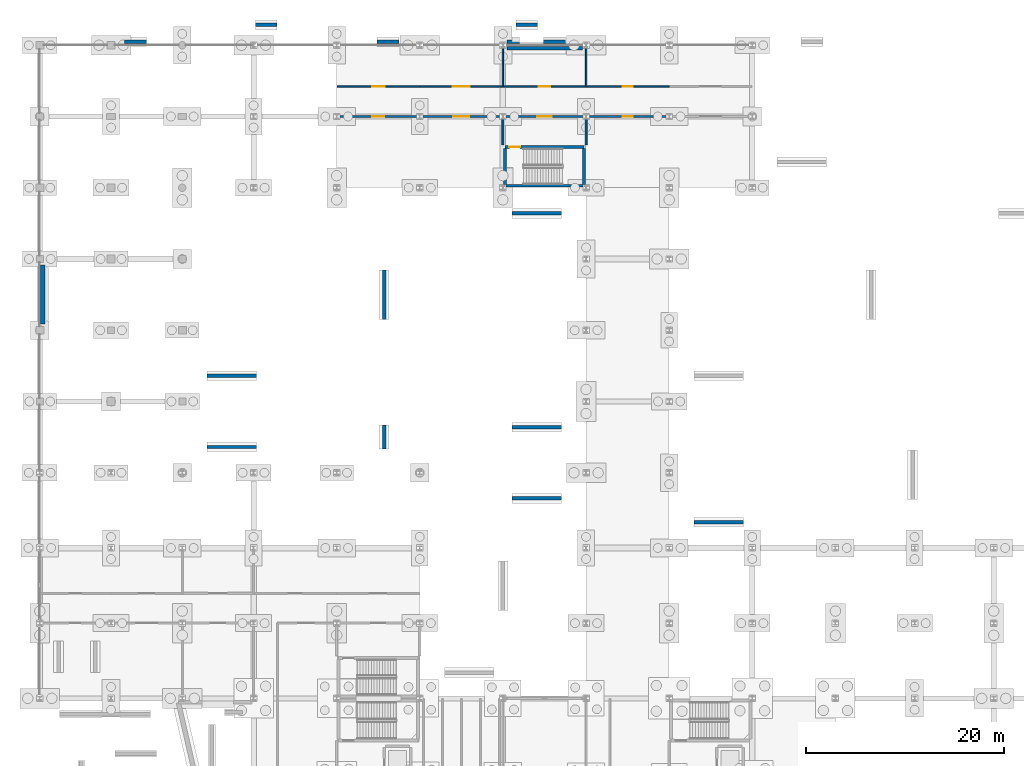
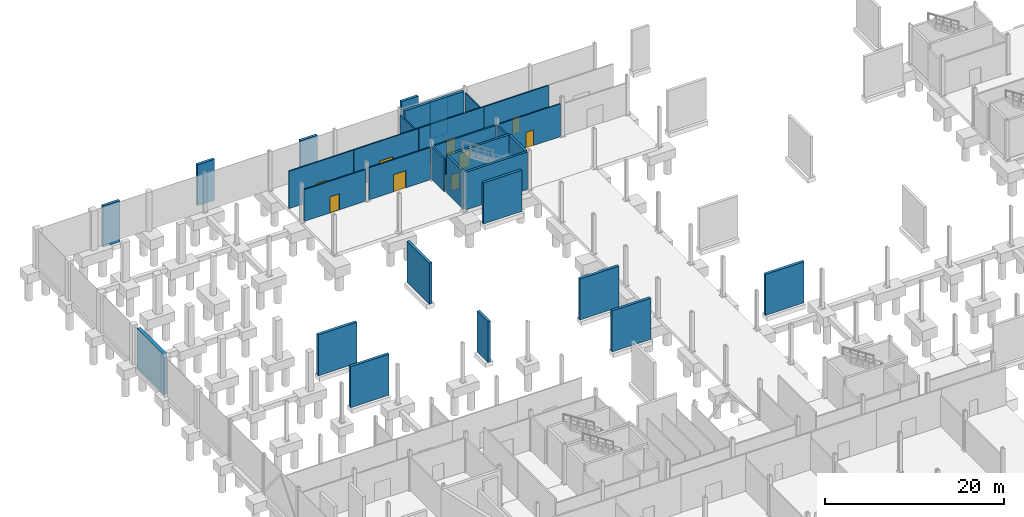
# One storey, part 47 of 61: 32 walls, 9 doors, 9 openings.
"""IFC4 building model written with IfcOpenShell, lengths in metres."""

from ifc_helpers import new_model, si_unit, direction, frame, frame_2d, origin, place, context, subcontext, project, spatial, rectangle, extrude, material, layer, layer_set, type_object, element, fill, save


model = new_model("IFC4")

# Units and contexts
model_context = context("Model", 3, precision=1e-05, world=origin(), true_north=direction((0.0, 1.0)))
body_context = subcontext(model_context, "Body", "Model", "MODEL_VIEW")
ifc_project = project(units=[si_unit("LENGTHUNIT", "METRE"), si_unit("AREAUNIT", "SQUARE_METRE"), si_unit("VOLUMEUNIT", "CUBIC_METRE"), si_unit("PLANEANGLEUNIT", "RADIAN"), si_unit("MASSUNIT", "GRAM", prefix="KILO")], contexts=[model_context])

# Site, building, storey
site_placement = place(None, origin())
site = spatial("IfcSite", under=ifc_project, at=site_placement, CompositionType="ELEMENT")
building_placement = place(site_placement, origin())
building = spatial("IfcBuilding", under=site, at=building_placement, Name="Calvrana Isthmian Art Gallery", CompositionType="ELEMENT")
storey_placement = place(building_placement, frame((0.0, 0.0, -5.39990234375)))
storey = spatial("IfcBuildingStorey", under=building, at=storey_placement, Name="B1", CompositionType="ELEMENT", Elevation=-5.39990234375)

# Wall
ifc_material_1 = material(Name="Concrete C40/50", Category="concrete")
ifc_layer_1 = layer(ifc_material_1, 0.300048828125, Name="Concrete C40/50")
ifc_layer_set_1 = layer_set([ifc_layer_1], Name="Concrete C40/50")
wall_type_1 = type_object("IfcWallType", Name="CW-SHAFT-300", PredefinedType="SHEAR", material=ifc_layer_set_1)
wall_1_placement = place(storey_placement, frame((46.989990234375, 98.60009765625, 0.0), z_axis=(0.0, 0.0, 1.0), x_axis=(1.0, 0.0, 0.0)))
element("IfcWall", 1, at=wall_1_placement, inside=storey, type_object=wall_type_1, Name="Core C6 shear wall S B1", PredefinedType="SHEAR", context=body_context, shape_type="SweptSolid", body=[
    extrude(rectangle(XDim=8.02001953125, YDim=0.300048828125, at=frame_2d((4.010009765625, 0.0))), origin(), (0.0, 0.0, 1.0), 5.119873046875),
])

# Wall, opening, door
wall_2_placement = place(storey_placement, frame((46.989990234375, 102.5, 0.0), z_axis=(0.0, 0.0, 1.0), x_axis=(1.0, 0.0, 0.0)))
wall_2 = element("IfcWall", 2, at=wall_2_placement, inside=storey, type_object=wall_type_1, Name="Core C6 shear wall N B1", PredefinedType="SHEAR", context=body_context, shape_type="SweptSolid", body=[
    extrude(rectangle(XDim=8.02001953125, YDim=0.300048828125, at=frame_2d((4.010009765625, 0.0))), origin(), (0.0, 0.0, 1.0), 5.119873046875),
])
opening_1_placement = place(wall_2_placement, frame((0.449951171875, 0.0, 0.0)))
opening_1 = element("IfcOpeningElement", 3, at=opening_1_placement, cuts=wall_2, Name="Opening D-166", PredefinedType="OPENING", context=body_context, shape_type="SweptSolid", body=[
    extrude(rectangle(XDim=1.10009765625, YDim=2.14990234375, at=frame_2d((0.550048828125, 1.074951171875))), frame((0.0, 0.16015625, 0.0), z_axis=(0.0, -1.0, 0.0), x_axis=(1.0, 0.0, 0.0)), (0.0, 0.0, 1.0), 0.320556640625),
])
ifc_material_2 = material(Name="Steel ASTM A572 Gr 50", Category="steel")
door_type_1 = type_object("IfcDoorType", Name="DR-FIRE-1100", OperationType="NOTDEFINED", PredefinedType="DOOR", material=ifc_material_2)
door_1_placement = place(opening_1_placement, origin())
door_1 = element("IfcDoor", 4, at=door_1_placement, inside=storey, type_object=door_type_1, Name="Stair ST-6 fire door B1", OperationType="SINGLE_SWING_RIGHT", OverallHeight=2.14990234375, OverallWidth=1.10009765625, PredefinedType="DOOR", context=body_context, shape_type="SweptSolid", body=[
    extrude(rectangle(XDim=1.10009765625, YDim=2.14990234375, at=frame_2d((0.550048828125, 1.074951171875))), frame((0.0, 0.02490234375, 0.0), z_axis=(0.0, -1.0, 0.0), x_axis=(1.0, 0.0, 0.0)), (0.0, 0.0, 1.0), 0.050048828125),
])
fill(opening_1, door_1)

# Walls
for number, where, z_axis, x_axis, name in (
    (5, (46.989990234375, 98.75, 0.0), (0.0, 0.0, 1.0), (0.0, 1.0, 0.0), "Core C6 shear wall W B1"),
    (6, (55.010009765625, 98.75, 0.0), (0.0, 0.0, 1.0), (0.0, 1.0, 0.0), "Core C6 shear wall E B1"),
):
    element("IfcWall", number, at=place(storey_placement, frame(where, z_axis=z_axis, x_axis=x_axis)), inside=storey, type_object=wall_type_1, Name=name, PredefinedType="SHEAR", context=body_context, shape_type="SweptSolid", body=[
        extrude(rectangle(XDim=3.60009765625, YDim=0.300048828125, at=frame_2d((1.800048828125, 0.0))), origin(), (0.0, 0.0, 1.0), 5.119873046875),
    ])
ifc_material_3 = material(Name="Acoustic gypsum ceiling", Category="gypsum")
ifc_layer_2 = layer(ifc_material_3, 0.199951171875, Name="Acoustic gypsum ceiling")
ifc_layer_set_2 = layer_set([ifc_layer_2], Name="Acoustic gypsum ceiling")
wall_type_2 = type_object("IfcWallType", Name="PW-FIRE-200", PredefinedType="PARTITIONING", material=ifc_layer_set_2)
wall_3_placement = place(storey_placement, frame((46.800048828125, 102.719970703125, 0.0), z_axis=(0.0, 0.0, 1.0), x_axis=(0.0, 1.0, 0.0)))
element("IfcWall", 7, at=wall_3_placement, inside=storey, type_object=wall_type_2, Name="Core C6 lobby W closure B1", PredefinedType="PARTITIONING", context=body_context, shape_type="SweptSolid", body=[
    extrude(rectangle(XDim=2.860107421875, YDim=0.199951171875, at=frame_2d((1.43017578125, 0.0))), origin(), (0.0, 0.0, 1.0), 4.48779296875),
])
wall_4_placement = place(storey_placement, frame((55.199951171875, 102.719970703125, 0.0), z_axis=(0.0, 0.0, 1.0), x_axis=(0.0, 1.0, 0.0)))
element("IfcWall", 8, at=wall_4_placement, inside=storey, type_object=wall_type_2, Name="Core C6 lobby E closure B1", PredefinedType="PARTITIONING", context=body_context, shape_type="SweptSolid", body=[
    extrude(rectangle(XDim=2.860107421875, YDim=0.199951171875, at=frame_2d((1.43017578125, 0.0))), origin(), (0.0, 0.0, 1.0), 4.492919921875),
])

# Wall, opening, door
wall_5_placement = place(storey_placement, frame((47.02001953125, 105.60009765625, 0.0), z_axis=(0.0, 0.0, 1.0), x_axis=(1.0, 0.0, 0.0)))
wall_5 = element("IfcWall", 9, at=wall_5_placement, inside=storey, type_object=wall_type_2, Name="Core C6 lobby enclosure B1", PredefinedType="PARTITIONING", context=body_context, shape_type="SweptSolid", body=[
    extrude(rectangle(XDim=7.9599609375, YDim=0.199951171875, at=frame_2d((3.97998046875, 0.0))), origin(), (0.0, 0.0, 1.0), 4.477783203125),
])
opening_2_placement = place(wall_5_placement, frame((3.2548828125, 0.0, 0.0)))
opening_2 = element("IfcOpeningElement", 10, at=opening_2_placement, cuts=wall_5, Name="Opening D-167", PredefinedType="OPENING", context=body_context, shape_type="SweptSolid", body=[
    extrude(rectangle(XDim=1.449951171875, YDim=2.199951171875, at=frame_2d((0.72509765625, 1.10009765625))), frame((0.0, 0.1103515625, 0.0), z_axis=(0.0, -1.0, 0.0), x_axis=(1.0, 0.0, 0.0)), (0.0, 0.0, 1.0), 0.220458984375),
])
door_type_2 = type_object("IfcDoorType", Name="DR-LOBBY-1450", OperationType="DOUBLE_DOOR_SINGLE_SWING", PredefinedType="DOOR", material=ifc_material_2)
door_2_placement = place(opening_2_placement, origin())
door_2 = element("IfcDoor", 11, at=door_2_placement, inside=storey, type_object=door_type_2, Name="Core C6 lobby fire door B1", OperationType="DOUBLE_DOOR_SINGLE_SWING", OverallHeight=2.199951171875, OverallWidth=1.449951171875, PredefinedType="DOOR", context=body_context, shape_type="SweptSolid", body=[
    extrude(rectangle(XDim=1.449951171875, YDim=2.199951171875, at=frame_2d((0.72509765625, 1.10009765625))), frame((0.0, 0.02490234375, 0.0), z_axis=(0.0, -1.0, 0.0), x_axis=(1.0, 0.0, 0.0)), (0.0, 0.0, 1.0), 0.050048828125),
])
fill(opening_2, door_2)

ifc_layer_3 = layer(ifc_material_3, 0.159912109375, Name="Acoustic gypsum ceiling")
ifc_layer_set_3 = layer_set([ifc_layer_3], Name="Acoustic gypsum ceiling")
wall_type_3 = type_object("IfcWallType", Name="PW-GAL-160", PredefinedType="PARTITIONING", material=ifc_layer_set_3)
wall_6_placement = place(storey_placement, frame((30.212890625, 105.60009765625, 0.0), z_axis=(0.0, 0.0, 1.0), x_axis=(1.0, 0.0, 0.0)))
wall_6 = element("IfcWall", 12, at=wall_6_placement, inside=storey, type_object=wall_type_3, Name="Interior partition PW-065", PredefinedType="PARTITIONING", context=body_context, shape_type="SweptSolid", body=[
    extrude(rectangle(XDim=7.97509765625, YDim=0.159912109375, at=frame_2d((3.987548828125, 0.0))), origin(), (0.0, 0.0, 1.0), 4.337890625),
])
opening_3_placement = place(wall_6_placement, frame((3.387451171875, 0.0, 0.0)))
opening_3 = element("IfcOpeningElement", 13, at=opening_3_placement, cuts=wall_6, Name="Opening D-225", PredefinedType="OPENING", context=body_context, shape_type="SweptSolid", body=[
    extrude(rectangle(XDim=1.199951171875, YDim=2.199951171875, at=frame_2d((0.60009765625, 1.10009765625))), frame((0.0, 0.09033203125, 0.0), z_axis=(0.0, -1.0, 0.0), x_axis=(1.0, 0.0, 0.0)), (0.0, 0.0, 1.0), 0.180419921875),
])
ifc_material_4 = material(Name="Timber gallery flooring", Category="wood")
door_type_3 = type_object("IfcDoorType", Name="DR-RM-1200", OperationType="NOTDEFINED", PredefinedType="DOOR", material=ifc_material_4)
door_3_placement = place(opening_3_placement, origin())
door_3 = element("IfcDoor", 14, at=door_3_placement, inside=storey, type_object=door_type_3, Name="Interior door D-225", OperationType="SINGLE_SWING_LEFT", OverallHeight=2.199951171875, OverallWidth=1.199951171875, PredefinedType="DOOR", context=body_context, shape_type="SweptSolid", body=[
    extrude(rectangle(XDim=1.199951171875, YDim=2.199951171875, at=frame_2d((0.60009765625, 1.10009765625))), frame((0.0, 0.02490234375, 0.0), z_axis=(0.0, -1.0, 0.0), x_axis=(1.0, 0.0, 0.0)), (0.0, 0.0, 1.0), 0.050048828125),
])
fill(opening_3, door_3)

wall_7_placement = place(storey_placement, frame((38.612060546875, 105.60009765625, 0.0), z_axis=(0.0, 0.0, 1.0), x_axis=(1.0, 0.0, 0.0)))
wall_7 = element("IfcWall", 15, at=wall_7_placement, inside=storey, type_object=wall_type_3, Name="Interior partition PW-066", PredefinedType="PARTITIONING", context=body_context, shape_type="SweptSolid", body=[
    extrude(rectangle(XDim=7.986328125, YDim=0.159912109375, at=frame_2d((3.9931640625, 0.0))), origin(), (0.0, 0.0, 1.0), 4.406982421875),
])
opening_4_placement = place(wall_7_placement, frame((3.193115234375, 0.0, 0.0)))
opening_4 = element("IfcOpeningElement", 16, at=opening_4_placement, cuts=wall_7, Name="Opening D-226", PredefinedType="OPENING", context=body_context, shape_type="SweptSolid", body=[
    extrude(rectangle(XDim=1.60009765625, YDim=2.35009765625, at=frame_2d((0.800048828125, 1.175048828125))), frame((0.0, 0.09033203125, 0.0), z_axis=(0.0, -1.0, 0.0), x_axis=(1.0, 0.0, 0.0)), (0.0, 0.0, 1.0), 0.180419921875),
])
door_type_4 = type_object("IfcDoorType", Name="DR-GAL-1600", OperationType="DOUBLE_DOOR_SINGLE_SWING", PredefinedType="DOOR", material=ifc_material_4)
door_4_placement = place(opening_4_placement, origin())
door_4 = element("IfcDoor", 17, at=door_4_placement, inside=storey, type_object=door_type_4, Name="Interior door D-226", OperationType="DOUBLE_DOOR_SINGLE_SWING", OverallHeight=2.35009765625, OverallWidth=1.60009765625, PredefinedType="DOOR", context=body_context, shape_type="SweptSolid", body=[
    extrude(rectangle(XDim=1.60009765625, YDim=2.35009765625, at=frame_2d((0.800048828125, 1.175048828125))), frame((0.0, 0.02490234375, 0.0), z_axis=(0.0, -1.0, 0.0), x_axis=(1.0, 0.0, 0.0)), (0.0, 0.0, 1.0), 0.050048828125),
])
fill(opening_4, door_4)

wall_8_placement = place(storey_placement, frame((55.41455078125, 105.60009765625, 0.0), z_axis=(0.0, 0.0, 1.0), x_axis=(1.0, 0.0, 0.0)))
wall_8 = element("IfcWall", 18, at=wall_8_placement, inside=storey, type_object=wall_type_3, Name="Interior partition PW-067", PredefinedType="PARTITIONING", context=body_context, shape_type="SweptSolid", body=[
    extrude(rectangle(XDim=7.972412109375, YDim=0.159912109375, at=frame_2d((3.986328125, 0.0))), origin(), (0.0, 0.0, 1.0), 4.48779296875),
])
opening_5_placement = place(wall_8_placement, frame((3.486328125, 0.0, 0.0)))
opening_5 = element("IfcOpeningElement", 19, at=opening_5_placement, cuts=wall_8, Name="Opening D-227", PredefinedType="OPENING", context=body_context, shape_type="SweptSolid", body=[
    extrude(rectangle(XDim=1.0, YDim=2.14990234375, at=frame_2d((0.5, 1.074951171875))), frame((0.0, 0.09033203125, 0.0), z_axis=(0.0, -1.0, 0.0), x_axis=(1.0, 0.0, 0.0)), (0.0, 0.0, 1.0), 0.180419921875),
])
door_type_5 = type_object("IfcDoorType", Name="DR-RM-1000", OperationType="NOTDEFINED", PredefinedType="DOOR", material=ifc_material_4)
door_5_placement = place(opening_5_placement, origin())
door_5 = element("IfcDoor", 20, at=door_5_placement, inside=storey, type_object=door_type_5, Name="Interior door D-227", OperationType="SINGLE_SWING_RIGHT", OverallHeight=2.14990234375, OverallWidth=1.0, PredefinedType="DOOR", context=body_context, shape_type="SweptSolid", body=[
    extrude(rectangle(XDim=1.0, YDim=2.14990234375, at=frame_2d((0.5, 1.074951171875))), frame((0.0, 0.02490234375, 0.0), z_axis=(0.0, -1.0, 0.0), x_axis=(1.0, 0.0, 0.0)), (0.0, 0.0, 1.0), 0.050048828125),
])
fill(opening_5, door_5)

wall_9_placement = place(storey_placement, frame((30.06005859375, 108.610107421875, 0.0), z_axis=(0.0, 0.0, 1.0), x_axis=(1.0, 0.0, 0.0)))
wall_9 = element("IfcWall", 21, at=wall_9_placement, inside=storey, type_object=wall_type_3, Name="Interior partition PW-069", PredefinedType="PARTITIONING", context=body_context, shape_type="SweptSolid", body=[
    extrude(rectangle(XDim=8.329833984375, YDim=0.159912109375, at=frame_2d((4.1650390625, 0.0))), origin(), (0.0, 0.0, 1.0), 5.099853515625),
])
opening_6_placement = place(wall_9_placement, frame((3.514892578125, 0.0, 0.0)))
opening_6 = element("IfcOpeningElement", 22, at=opening_6_placement, cuts=wall_9, Name="Opening D-229", PredefinedType="OPENING", context=body_context, shape_type="SweptSolid", body=[
    extrude(rectangle(XDim=1.300048828125, YDim=2.199951171875, at=frame_2d((0.64990234375, 1.10009765625))), frame((0.0, 0.09033203125, 0.0), z_axis=(0.0, -1.0, 0.0), x_axis=(1.0, 0.0, 0.0)), (0.0, 0.0, 1.0), 0.180419921875),
])
door_type_6 = type_object("IfcDoorType", Name="DR-RM-1300", OperationType="NOTDEFINED", PredefinedType="DOOR", material=ifc_material_4)
door_6_placement = place(opening_6_placement, origin())
door_6 = element("IfcDoor", 23, at=door_6_placement, inside=storey, type_object=door_type_6, Name="Interior door D-229", OperationType="SINGLE_SWING_LEFT", OverallHeight=2.199951171875, OverallWidth=1.300048828125, PredefinedType="DOOR", context=body_context, shape_type="SweptSolid", body=[
    extrude(rectangle(XDim=1.300048828125, YDim=2.199951171875, at=frame_2d((0.64990234375, 1.10009765625))), frame((0.0, 0.02490234375, 0.0), z_axis=(0.0, -1.0, 0.0), x_axis=(1.0, 0.0, 0.0)), (0.0, 0.0, 1.0), 0.050048828125),
])
fill(opening_6, door_6)

wall_10_placement = place(storey_placement, frame((38.409912109375, 108.610107421875, 0.0), z_axis=(0.0, 0.0, 1.0), x_axis=(1.0, 0.0, 0.0)))
wall_10 = element("IfcWall", 24, at=wall_10_placement, inside=storey, type_object=wall_type_3, Name="Interior partition PW-070", PredefinedType="PARTITIONING", context=body_context, shape_type="SweptSolid", body=[
    extrude(rectangle(XDim=8.380126953125, YDim=0.159912109375, at=frame_2d((4.18994140625, 0.0))), origin(), (0.0, 0.0, 1.0), 5.099853515625),
])
opening_7_placement = place(wall_10_placement, frame((3.340087890625, 0.0, 0.0)))
opening_7 = element("IfcOpeningElement", 25, at=opening_7_placement, cuts=wall_10, Name="Opening D-230", PredefinedType="OPENING", context=body_context, shape_type="SweptSolid", body=[
    extrude(rectangle(XDim=1.699951171875, YDim=2.39990234375, at=frame_2d((0.85009765625, 1.199951171875))), frame((0.0, 0.09033203125, 0.0), z_axis=(0.0, -1.0, 0.0), x_axis=(1.0, 0.0, 0.0)), (0.0, 0.0, 1.0), 0.180419921875),
])
door_type_7 = type_object("IfcDoorType", Name="DR-GAL-1700", OperationType="DOUBLE_DOOR_SINGLE_SWING", PredefinedType="DOOR", material=ifc_material_4)
door_7_placement = place(opening_7_placement, origin())
door_7 = element("IfcDoor", 26, at=door_7_placement, inside=storey, type_object=door_type_7, Name="Interior door D-230", OperationType="DOUBLE_DOOR_SINGLE_SWING", OverallHeight=2.39990234375, OverallWidth=1.699951171875, PredefinedType="DOOR", context=body_context, shape_type="SweptSolid", body=[
    extrude(rectangle(XDim=1.699951171875, YDim=2.39990234375, at=frame_2d((0.85009765625, 1.199951171875))), frame((0.0, 0.02490234375, 0.0), z_axis=(0.0, -1.0, 0.0), x_axis=(1.0, 0.0, 0.0)), (0.0, 0.0, 1.0), 0.050048828125),
])
fill(opening_7, door_7)

# Wall
wall_11_placement = place(storey_placement, frame((46.800048828125, 108.6201171875, 0.0), z_axis=(0.0, 0.0, 1.0), x_axis=(0.0, 1.0, 0.0)))
element("IfcWall", 27, at=wall_11_placement, inside=storey, type_object=wall_type_3, Name="Interior partition PW-071", PredefinedType="PARTITIONING", context=body_context, shape_type="SweptSolid", body=[
    extrude(rectangle(XDim=3.976806640625, YDim=0.159912109375, at=frame_2d((1.98828125, 0.0))), origin(), (0.0, 0.0, 1.0), 4.492919921875),
])

# Wall, opening, door
wall_12_placement = place(storey_placement, frame((46.81005859375, 108.610107421875, 0.0), z_axis=(0.0, 0.0, 1.0), x_axis=(1.0, 0.0, 0.0)))
wall_12 = element("IfcWall", 28, at=wall_12_placement, inside=storey, type_object=wall_type_3, Name="Interior partition PW-072", PredefinedType="PARTITIONING", context=body_context, shape_type="SweptSolid", body=[
    extrude(rectangle(XDim=8.3798828125, YDim=0.159912109375, at=frame_2d((4.18994140625, 0.0))), origin(), (0.0, 0.0, 1.0), 5.099853515625),
])
opening_8_placement = place(wall_12_placement, frame((3.590087890625, 0.0, 0.0)))
opening_8 = element("IfcOpeningElement", 29, at=opening_8_placement, cuts=wall_12, Name="Opening D-231", PredefinedType="OPENING", context=body_context, shape_type="SweptSolid", body=[
    extrude(rectangle(XDim=1.199951171875, YDim=2.199951171875, at=frame_2d((0.60009765625, 1.10009765625))), frame((0.0, 0.09033203125, 0.0), z_axis=(0.0, -1.0, 0.0), x_axis=(1.0, 0.0, 0.0)), (0.0, 0.0, 1.0), 0.180419921875),
])
door_8_placement = place(opening_8_placement, origin())
door_8 = element("IfcDoor", 30, at=door_8_placement, inside=storey, type_object=door_type_3, Name="Interior door D-231", OperationType="SINGLE_SWING_RIGHT", OverallHeight=2.199951171875, OverallWidth=1.199951171875, PredefinedType="DOOR", context=body_context, shape_type="SweptSolid", body=[
    extrude(rectangle(XDim=1.199951171875, YDim=2.199951171875, at=frame_2d((0.60009765625, 1.10009765625))), frame((0.0, 0.02490234375, 0.0), z_axis=(0.0, -1.0, 0.0), x_axis=(1.0, 0.0, 0.0)), (0.0, 0.0, 1.0), 0.050048828125),
])
fill(opening_8, door_8)

# Wall
wall_13_placement = place(storey_placement, frame((55.199951171875, 108.6201171875, 0.0), z_axis=(0.0, 0.0, 1.0), x_axis=(0.0, 1.0, 0.0)))
element("IfcWall", 31, at=wall_13_placement, inside=storey, type_object=wall_type_3, Name="Interior partition PW-073", PredefinedType="PARTITIONING", context=body_context, shape_type="SweptSolid", body=[
    extrude(rectangle(XDim=3.978271484375, YDim=0.159912109375, at=frame_2d((1.9892578125, 0.0))), origin(), (0.0, 0.0, 1.0), 4.56689453125),
])

# Wall, opening, door
wall_14_placement = place(storey_placement, frame((55.2099609375, 108.610107421875, 0.0), z_axis=(0.0, 0.0, 1.0), x_axis=(1.0, 0.0, 0.0)))
wall_14 = element("IfcWall", 32, at=wall_14_placement, inside=storey, type_object=wall_type_3, Name="Interior partition PW-074", PredefinedType="PARTITIONING", context=body_context, shape_type="SweptSolid", body=[
    extrude(rectangle(XDim=8.380126953125, YDim=0.159912109375, at=frame_2d((4.18994140625, 0.0))), origin(), (0.0, 0.0, 1.0), 5.099853515625),
])
opening_9_placement = place(wall_14_placement, frame((3.68994140625, 0.0, 0.0)))
opening_9 = element("IfcOpeningElement", 33, at=opening_9_placement, cuts=wall_14, Name="Opening D-232", PredefinedType="OPENING", context=body_context, shape_type="SweptSolid", body=[
    extrude(rectangle(XDim=1.0, YDim=2.14990234375, at=frame_2d((0.5, 1.074951171875))), frame((0.0, 0.09033203125, 0.0), z_axis=(0.0, -1.0, 0.0), x_axis=(1.0, 0.0, 0.0)), (0.0, 0.0, 1.0), 0.180419921875),
])
door_9_placement = place(opening_9_placement, origin())
door_9 = element("IfcDoor", 34, at=door_9_placement, inside=storey, type_object=door_type_5, Name="Interior door D-232", OperationType="SINGLE_SWING_LEFT", OverallHeight=2.14990234375, OverallWidth=1.0, PredefinedType="DOOR", context=body_context, shape_type="SweptSolid", body=[
    extrude(rectangle(XDim=1.0, YDim=2.14990234375, at=frame_2d((0.5, 1.074951171875))), frame((0.0, 0.02490234375, 0.0), z_axis=(0.0, -1.0, 0.0), x_axis=(1.0, 0.0, 0.0)), (0.0, 0.0, 1.0), 0.050048828125),
])
fill(opening_9, door_9)

# Walls
ifc_layer_4 = layer(ifc_material_1, 0.35009765625, Name="Concrete C40/50")
ifc_layer_set_4 = layer_set([ifc_layer_4], Name="Concrete C40/50")
wall_type_4 = type_object("IfcWallType", Name="WL-RET-350", PredefinedType="USERDEFINED", material=ifc_layer_set_4)
wall_15_placement = place(storey_placement, frame((47.19189453125, 112.5, -0.4501953125), z_axis=(0.0, 0.0, 1.0), x_axis=(1.0, 0.0, 0.0)))
element("IfcWall", 35, at=wall_15_placement, inside=storey, type_object=wall_type_4, Name="Hillside plinth retaining wall RW_B1_NORTH_W", ObjectType="RETAINING WALL", PredefinedType="USERDEFINED", context=body_context, shape_type="SweptSolid", body=[
    extrude(rectangle(XDim=7.626708984375, YDim=0.35009765625, at=frame_2d((3.8134765625, 0.0))), origin(), (0.0, 0.0, 1.0), 5.5),
])
for number, where, z_axis, x_axis, name in (
    (36, (47.699951171875, 67.0, -0.4501953125), (0.0, 0.0, 1.0), (1.0, 0.0, 0.0), "Apron grade wall SLB_CYD_NC_SW-B"),
    (37, (16.89990234375, 72.199951171875, -0.4501953125), (0.0, 0.0, 1.0), (1.0, 0.0, 0.0), "Apron grade wall SLB_CYD_NC_MID-A"),
    (38, (47.699951171875, 74.199951171875, -0.4501953125), (0.0, 0.0, 1.0), (1.0, 0.0, 0.0), "Apron grade wall SLB_CYD_NC_MID-B"),
):
    element("IfcWall", number, at=place(storey_placement, frame(where, z_axis=z_axis, x_axis=x_axis)), inside=storey, type_object=wall_type_4, Name=name, ObjectType="RETAINING WALL", PredefinedType="USERDEFINED", context=body_context, shape_type="SweptSolid", body=[
        extrude(rectangle(XDim=5.0, YDim=0.35009765625, at=frame_2d((2.5, 0.0))), origin(), (0.0, 0.0, 1.0), 5.60009765625),
    ])
wall_16_placement = place(storey_placement, frame((34.800048828125, 72.0, -0.4501953125), z_axis=(0.0, 0.0, 1.0), x_axis=(0.0, 1.0, 0.0)))
element("IfcWall", 39, at=wall_16_placement, inside=storey, type_object=wall_type_4, Name="Apron grade wall SLB_CYD_NC_MID-C", ObjectType="RETAINING WALL", PredefinedType="USERDEFINED", context=body_context, shape_type="SweptSolid", body=[
    extrude(rectangle(XDim=2.39990234375, YDim=0.35009765625, at=frame_2d((1.199951171875, 0.0))), origin(), (0.0, 0.0, 1.0), 5.60009765625),
])
for number, where, z_axis, x_axis, name in (
    (40, (16.89990234375, 79.39990234375, -0.4501953125), (0.0, 0.0, 1.0), (1.0, 0.0, 0.0), "Apron grade wall SLB_APR_NWCOURT-A"),
    (41, (47.699951171875, 95.800048828125, -0.4501953125), (0.0, 0.0, 1.0), (1.0, 0.0, 0.0), "Apron grade wall SLB_APR_NWCOURT-B"),
    (42, (34.800048828125, 85.10009765625, -0.4501953125), (0.0, 0.0, 1.0), (0.0, 1.0, 0.0), "Apron grade wall SLB_APR_NWCOURT-C"),
    (43, (66.10009765625, 64.60009765625, -0.4501953125), (0.0, 0.0, 1.0), (1.0, 0.0, 0.0), "Apron grade wall SLB_CYD_NE_S-A"),
):
    element("IfcWall", number, at=place(storey_placement, frame(where, z_axis=z_axis, x_axis=x_axis)), inside=storey, type_object=wall_type_4, Name=name, ObjectType="RETAINING WALL", PredefinedType="USERDEFINED", context=body_context, shape_type="SweptSolid", body=[
        extrude(rectangle(XDim=5.0, YDim=0.35009765625, at=frame_2d((2.5, 0.0))), origin(), (0.0, 0.0, 1.0), 5.60009765625),
    ])
for number, where, z_axis, x_axis, name in (
    (44, (8.580078125, 113.14990234375, -0.4501953125), (0.0, 0.0, 1.0), (1.0, 0.0, 0.0), "Apron grade wall SLB_APR_NORTH_W-A"),
    (45, (21.780029296875, 114.85009765625, -0.4501953125), (0.0, 0.0, 1.0), (1.0, 0.0, 0.0), "Apron grade wall SLB_APR_NORTH_W-B"),
    (46, (34.10009765625, 113.14990234375, -0.4501953125), (0.0, 0.0, 1.0), (1.0, 0.0, 0.0), "Apron grade wall SLB_APR_NORTH_W-C"),
):
    element("IfcWall", number, at=place(storey_placement, frame(where, z_axis=z_axis, x_axis=x_axis)), inside=storey, type_object=wall_type_4, Name=name, ObjectType="RETAINING WALL", PredefinedType="USERDEFINED", context=body_context, shape_type="SweptSolid", body=[
        extrude(rectangle(XDim=2.199951171875, YDim=0.35009765625, at=frame_2d((1.10009765625, 0.0))), origin(), (0.0, 0.0, 1.0), 5.60009765625),
    ])
wall_17_placement = place(storey_placement, frame((47.19189453125, 113.14990234375, -0.4501953125), z_axis=(0.0, 0.0, 1.0), x_axis=(1.0, 0.0, 0.0)))
element("IfcWall", 47, at=wall_17_placement, inside=storey, type_object=wall_type_4, Name="Apron grade wall SLB_APR_NORTH_BENCH-A", ObjectType="RETAINING WALL", PredefinedType="USERDEFINED", context=body_context, shape_type="SweptSolid", body=[
    extrude(rectangle(XDim=1.30810546875, YDim=0.35009765625, at=frame_2d((0.654052734375, 0.0))), origin(), (0.0, 0.0, 1.0), 5.0),
])
wall_18_placement = place(storey_placement, frame((48.10009765625, 114.85009765625, -0.4501953125), z_axis=(0.0, 0.0, 1.0), x_axis=(1.0, 0.0, 0.0)))
element("IfcWall", 48, at=wall_18_placement, inside=storey, type_object=wall_type_4, Name="Apron grade wall SLB_APR_NORTH_BENCH-B", ObjectType="RETAINING WALL", PredefinedType="USERDEFINED", context=body_context, shape_type="SweptSolid", body=[
    extrude(rectangle(XDim=2.199951171875, YDim=0.35009765625, at=frame_2d((1.10009765625, 0.0))), origin(), (0.0, 0.0, 1.0), 5.0),
])
wall_19_placement = place(storey_placement, frame((50.89990234375, 113.14990234375, -0.4501953125), z_axis=(0.0, 0.0, 1.0), x_axis=(1.0, 0.0, 0.0)))
element("IfcWall", 49, at=wall_19_placement, inside=storey, type_object=wall_type_4, Name="Apron grade wall SLB_APR_NORTH_BENCH-C", ObjectType="RETAINING WALL", PredefinedType="USERDEFINED", context=body_context, shape_type="SweptSolid", body=[
    extrude(rectangle(XDim=2.2001953125, YDim=0.35009765625, at=frame_2d((1.10009765625, 0.0))), origin(), (0.0, 0.0, 1.0), 5.0),
])
ifc_layer_5 = layer(ifc_material_1, 0.449951171875, Name="Concrete C40/50")
ifc_layer_set_5 = layer_set([ifc_layer_5], Name="Concrete C40/50")
wall_type_5 = type_object("IfcWallType", Name="WL-RET-450", PredefinedType="USERDEFINED", material=ifc_layer_set_5)
wall_20_placement = place(storey_placement, frame((0.300048828125, 84.64501953125, -0.4501953125), z_axis=(0.0, 0.0, 1.0), x_axis=(0.0, 1.0, 0.0)))
element("IfcWall", 50, at=wall_20_placement, inside=storey, type_object=wall_type_5, Name="Hillside plinth retaining wall RW_B1_WEST_N", ObjectType="RETAINING WALL", PredefinedType="USERDEFINED", context=body_context, shape_type="SweptSolid", body=[
    extrude(rectangle(XDim=5.9599609375, YDim=0.449951171875, at=frame_2d((2.97998046875, 0.0))), origin(), (0.0, 0.0, 1.0), 5.5),
])

save(model, "model.ifc")
